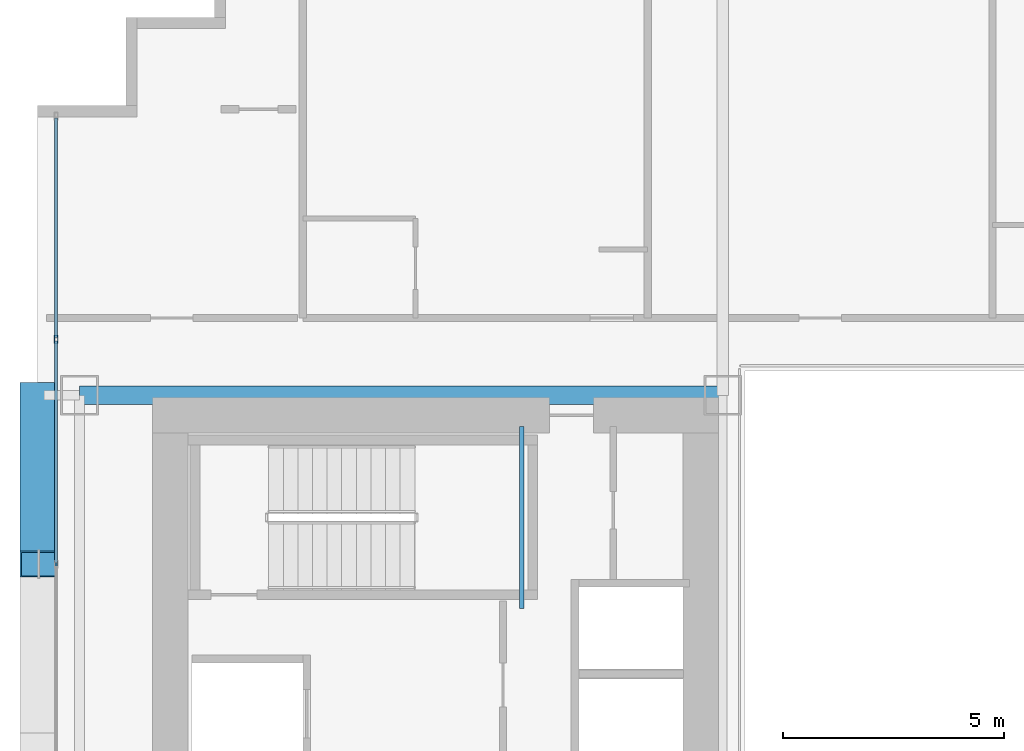
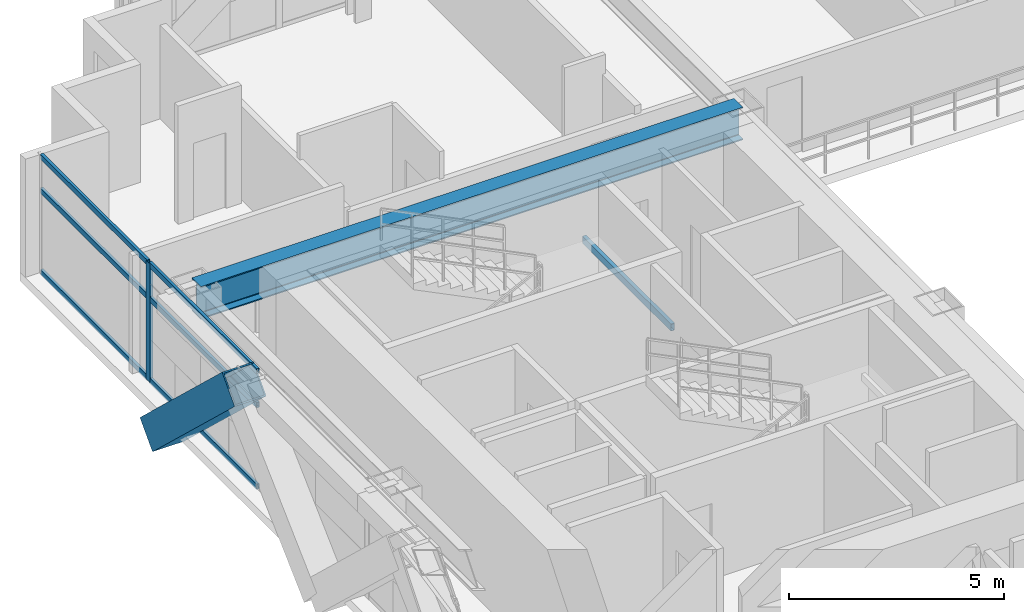
# One storey, part 16 of 35: 8 members, 2 beams, 1 element without a shape of its own.
"""IFC4 building model written with IfcOpenShell, lengths in metres."""

from ifc_helpers import new_model, si_unit, direction, frame, origin, origin_2d, place, context, subcontext, project, spatial, hollow_rectangle, i_section, extrude, source, transform, mapped, material, layer, layer_set, material_profile, profile_set, type_object, element, aggregate, save


model = new_model("IFC4")

# Units and contexts
model_context = context("Model", 3, precision=1e-05, world=origin(), true_north=direction((0.0, 1.0)))
body_context = subcontext(model_context, "Body", "Model", "MODEL_VIEW")
ifc_project = project(units=[si_unit("LENGTHUNIT", "METRE"), si_unit("AREAUNIT", "SQUARE_METRE"), si_unit("VOLUMEUNIT", "CUBIC_METRE"), si_unit("PLANEANGLEUNIT", "RADIAN"), si_unit("MASSUNIT", "GRAM", prefix="KILO")], contexts=[model_context])

# Site, building, storey
site_placement = place(None, origin())
site = spatial("IfcSite", under=ifc_project, at=site_placement, CompositionType="ELEMENT")
building_placement = place(site_placement, origin())
building = spatial("IfcBuilding", under=site, at=building_placement, Name="Ocotamira Hotel", CompositionType="ELEMENT")
storey_placement = place(building_placement, frame((0.0, 0.0, 56.39990234375)))
storey = spatial("IfcBuildingStorey", under=building, at=storey_placement, Name="L13", CompositionType="ELEMENT", Elevation=56.39990234375)

# Beams
ifc_material_1 = material(Name="Steel ASTM A500 Grade C", Category="steel")
ifc_material_profile_1 = material_profile(ifc_material_1, hollow_rectangle(XDim=0.10009765625, YDim=0.199951171875, WallThickness=0.008056640625, at=origin_2d()), Name="HSS200X100X8")
ifc_profile_set_1 = profile_set([ifc_material_profile_1], Name="Steel ASTM A500 Grade C")
beam_type_1 = type_object("IfcBeamType", Name="BM-STLDG-HSS200", PredefinedType="BEAM", material=ifc_profile_set_1)
shared_shape_1 = source(origin(), body_context, "Body", "SweptSolid", [
    extrude(hollow_rectangle(XDim=0.10009765625, YDim=0.199951171875, WallThickness=0.008056640625, at=origin_2d()), origin(), (0.0, 0.0, 1.0), 4.1201171875),
])
beam_1_placement = place(storey_placement, frame((18.949951171875, 32.6298828125, 1.5), z_axis=(0.0, 1.0, 0.0), x_axis=(-1.0, 0.0, 0.0)))
element("IfcBeam", 1, at=beam_1_placement, inside=storey, type_object=beam_type_1, Name="L13 Stair ST-2 Landing Bearer 1", PredefinedType="BEAM", context=body_context, shape_type="MappedRepresentation", body=[
    mapped(shared_shape_1, transform((0.0, 0.0, 0.0), scale=1.0)),
])
ifc_material_2 = material(Name="Steel ASTM A992 Grade 50", Category="steel")
ifc_material_profile_2 = material_profile(ifc_material_2, i_section(OverallWidth=0.41796875, OverallDepth=0.927001953125, WebThickness=0.019287109375, FlangeThickness=0.031982421875, FilletRadius=0.02392578125, at=origin_2d()), Name="W36X231")
ifc_profile_set_2 = profile_set([ifc_material_profile_2], Name="Steel ASTM A992 Grade 50")
beam_type_2 = type_object("IfcBeamType", Name="BM-GIRD-W36X231", PredefinedType="BEAM", material=ifc_profile_set_2)
shared_shape_2 = source(origin(), body_context, "Body", "SweptSolid", [
    extrude(i_section(OverallWidth=0.41796875, OverallDepth=0.927001953125, WebThickness=0.019287109375, FlangeThickness=0.031982421875, FilletRadius=0.02392578125, at=origin_2d()), origin(), (0.0, 0.0, 1.0), 14.550048828125),
])
beam_2_placement = place(storey_placement, frame((8.949951171875, 37.449951171875, 2.88671875), z_axis=(1.0, 0.0, 0.0), x_axis=(0.0, 1.0, 0.0)))
element("IfcBeam", 2, at=beam_2_placement, inside=storey, type_object=beam_type_2, Name="L13 Girder Y37.45 X8.95-23.5", PredefinedType="BEAM", context=body_context, shape_type="MappedRepresentation", body=[
    mapped(shared_shape_2, transform((0.0, 0.0, 0.0), scale=1.0)),
])

# Member
ifc_material_3 = material(Name="Pale-metal coated steel ASTM A913 Grade 65", Category="steel")
ifc_material_profile_3 = material_profile(ifc_material_3, hollow_rectangle(XDim=0.85009765625, YDim=0.85009765625, WallThickness=0.035888671875, at=origin_2d()), Name="BOX850X850X36")
ifc_profile_set_3 = profile_set([ifc_material_profile_3], Name="Pale-metal coated steel ASTM A913 Grade 65")
member_type_1 = type_object("IfcMemberType", Name="MEM-EXO-BOX850", PredefinedType="BRACE", material=ifc_profile_set_3)
shared_shape_3 = source(origin(), body_context, "Body", "SweptSolid", [
    extrude(hollow_rectangle(XDim=0.85009765625, YDim=0.85009765625, WallThickness=0.035888671875, at=origin_2d()), origin(), (0.0, 0.0, 1.0), 5.24658203125),
])
member_1_placement = place(storey_placement, frame((8.030029296875, 37.449951171875, -0.5), z_axis=(0.0, -0.727442733726, 0.686168397078), x_axis=(1.0, 0.0, 0.0)))
element("IfcMember", 3, at=member_1_placement, inside=storey, type_object=member_type_1, Name="L13 Exoskeleton Diagrid W2.2", PredefinedType="BRACE", context=body_context, shape_type="MappedRepresentation", body=[
    mapped(shared_shape_3, transform((0.0, 0.0, 0.0), scale=1.0)),
])

# Curtain wall, members
ifc_material_4 = material(Name="Anodised pale-metal aluminium and solar glass", Category="aluminium")
ifc_layer = layer(ifc_material_4, 0.179931640625)
ifc_layer_set = layer_set([ifc_layer], Name="Anodised pale-metal aluminium and solar glass")
curtain_wall_type = type_object("IfcCurtainWallType", Name="CW-SYS2-Z1", PredefinedType="NOTDEFINED", material=ifc_layer_set)
curtain_wall_placement = place(storey_placement, origin())
curtain_wall = element("IfcCurtainWall", 4, at=curtain_wall_placement, inside=storey, type_object=curtain_wall_type, Name="L13 Curtain Wall CW-2 CW-L13-W", PredefinedType="NOTDEFINED")
ifc_material_5 = material(Name="Anodised pale-metal aluminium 6063-T6", Category="aluminium")
ifc_material_profile_4 = material_profile(ifc_material_5, hollow_rectangle(XDim=0.074951171875, YDim=0.14990234375, WallThickness=0.006103515625, at=origin_2d()), Name="HSS150X75X6")
ifc_profile_set_4 = profile_set([ifc_material_profile_4], Name="Anodised pale-metal aluminium 6063-T6")
member_type_2 = type_object("IfcMemberType", Name="CWT-150X75", PredefinedType="USERDEFINED", material=ifc_profile_set_4)
shared_shape_4 = source(origin(), body_context, "Body", "SweptSolid", [
    extrude(hollow_rectangle(XDim=0.074951171875, YDim=0.14990234375, WallThickness=0.006103515625, at=origin_2d()), origin(), (0.0, 0.0, 1.0), 4.965576171875),
])
member_2_placement = place(storey_placement, frame((8.419921875, 38.75439453125, 0.03759765625), z_axis=(0.0, 1.0, 0.0), x_axis=(-1.0, 0.0, 0.0)))
member_2 = element("IfcMember", 5, at=member_2_placement, type_object=member_type_2, Name="CW-2 transom 7.1", ObjectType="TRANSOM", PredefinedType="USERDEFINED", context=body_context, shape_type="MappedRepresentation", body=[
    mapped(shared_shape_4, transform((0.0, 0.0, 0.0), scale=1.0)),
])
member_3_placement = place(storey_placement, frame((8.419921875, 38.75439453125, 2.35009765625), z_axis=(0.0, 1.0, 0.0), x_axis=(-1.0, 0.0, 0.0)))
member_3 = element("IfcMember", 6, at=member_3_placement, type_object=member_type_2, Name="CW-2 transom 7.2", ObjectType="TRANSOM", PredefinedType="USERDEFINED", context=body_context, shape_type="MappedRepresentation", body=[
    mapped(shared_shape_4, transform((0.0, 0.0, 0.0), scale=1.0)),
])
member_4_placement = place(storey_placement, frame((8.419921875, 38.75439453125, 3.3125), z_axis=(0.0, 1.0, 0.0), x_axis=(-1.0, 0.0, 0.0)))
member_4 = element("IfcMember", 7, at=member_4_placement, type_object=member_type_2, Name="CW-2 transom 7.3", ObjectType="TRANSOM", PredefinedType="USERDEFINED", context=body_context, shape_type="MappedRepresentation", body=[
    mapped(shared_shape_4, transform((0.0, 0.0, 0.0), scale=1.0)),
])
shared_shape_5 = source(origin(), body_context, "Body", "SweptSolid", [
    extrude(hollow_rectangle(XDim=0.074951171875, YDim=0.14990234375, WallThickness=0.006103515625, at=origin_2d()), origin(), (0.0, 0.0, 1.0), 5.005859375),
])
member_5_placement = place(storey_placement, frame((8.419921875, 33.66845703125, 0.03759765625), z_axis=(0.0, 1.0, 0.0), x_axis=(-1.0, 0.0, 0.0)))
member_5 = element("IfcMember", 8, at=member_5_placement, type_object=member_type_2, Name="CW-2 transom 6.1", ObjectType="TRANSOM", PredefinedType="USERDEFINED", context=body_context, shape_type="MappedRepresentation", body=[
    mapped(shared_shape_5, transform((0.0, 0.0, 0.0), scale=1.0)),
])
member_6_placement = place(storey_placement, frame((8.419921875, 33.66845703125, 2.35009765625), z_axis=(0.0, 1.0, 0.0), x_axis=(-1.0, 0.0, 0.0)))
member_6 = element("IfcMember", 9, at=member_6_placement, type_object=member_type_2, Name="CW-2 transom 6.2", ObjectType="TRANSOM", PredefinedType="USERDEFINED", context=body_context, shape_type="MappedRepresentation", body=[
    mapped(shared_shape_5, transform((0.0, 0.0, 0.0), scale=1.0)),
])
member_7_placement = place(storey_placement, frame((8.419921875, 33.66845703125, 3.3125), z_axis=(0.0, 1.0, 0.0), x_axis=(-1.0, 0.0, 0.0)))
member_7 = element("IfcMember", 10, at=member_7_placement, type_object=member_type_2, Name="CW-2 transom 6.3", ObjectType="TRANSOM", PredefinedType="USERDEFINED", context=body_context, shape_type="MappedRepresentation", body=[
    mapped(shared_shape_5, transform((0.0, 0.0, 0.0), scale=1.0)),
])
ifc_material_profile_5 = material_profile(ifc_material_5, hollow_rectangle(XDim=0.080078125, YDim=0.179931640625, WallThickness=0.006103515625, at=origin_2d()), Name="HSS180X80X6")
ifc_profile_set_5 = profile_set([ifc_material_profile_5], Name="Anodised pale-metal aluminium 6063-T6")
member_type_3 = type_object("IfcMemberType", Name="CWM-180X75", PredefinedType="MULLION", material=ifc_profile_set_5)
shared_shape_6 = source(origin(), body_context, "Body", "SweptSolid", [
    extrude(hollow_rectangle(XDim=0.080078125, YDim=0.179931640625, WallThickness=0.006103515625, at=origin_2d()), origin(), (0.0, 0.0, 1.0), 3.35009765625),
])
member_8_placement = place(storey_placement, frame((8.419921875, 38.71435546875, 0.0), z_axis=(0.0, 0.0, 1.0), x_axis=(-1.0, 0.0, 0.0)))
member_8 = element("IfcMember", 11, at=member_8_placement, type_object=member_type_3, Name="CW-2 mullion 7", PredefinedType="MULLION", context=body_context, shape_type="MappedRepresentation", body=[
    mapped(shared_shape_6, transform((0.0, 0.0, 0.0), scale=1.0)),
])
aggregate(curtain_wall, [member_8, member_5, member_6, member_7, member_2, member_3, member_4])

save(model, "model.ifc")
